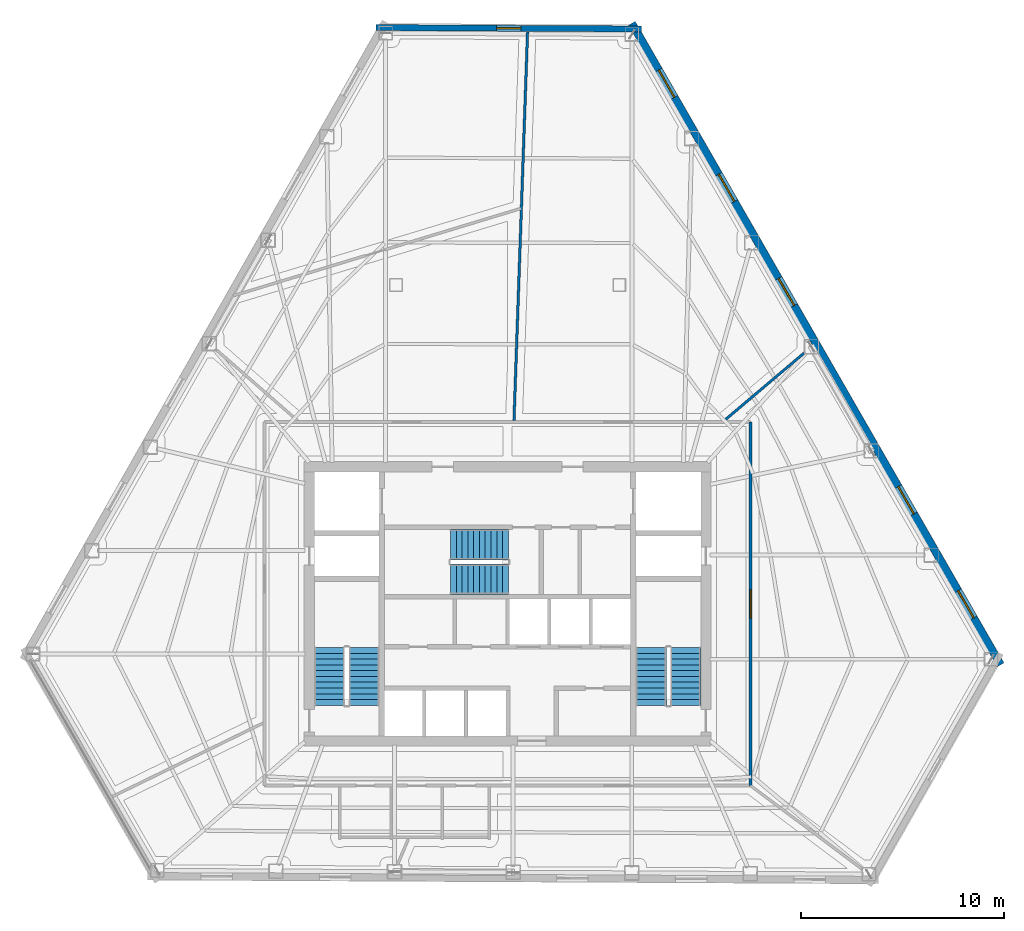
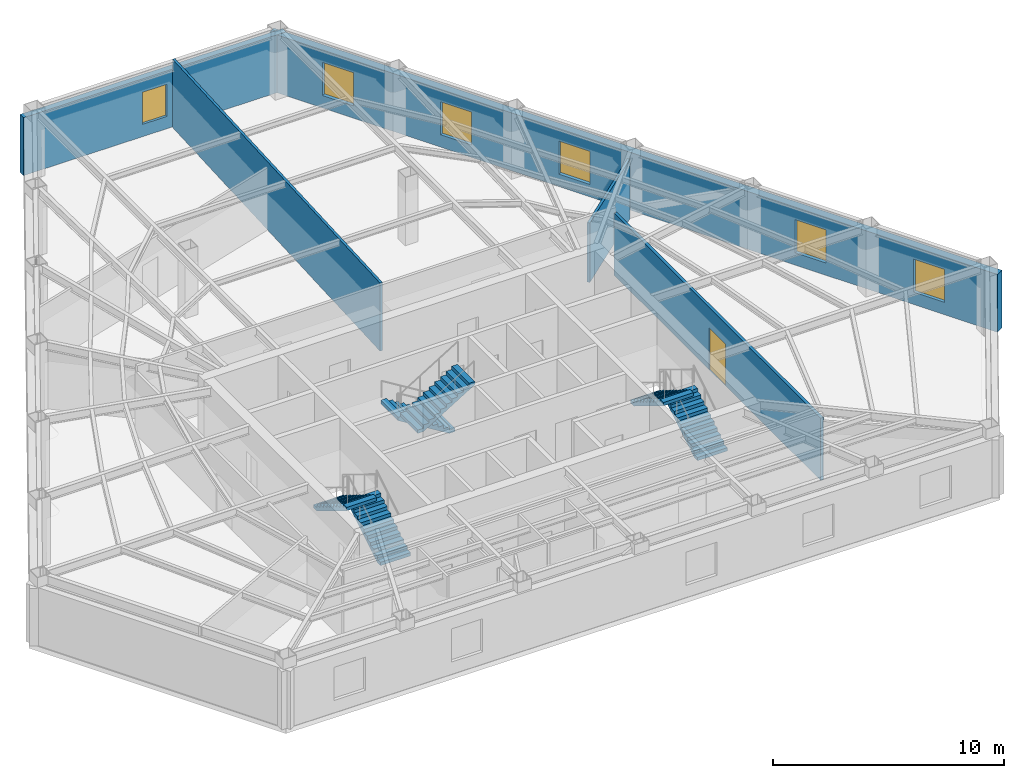
# One storey, part 10 of 13: 6 stair flights, 6 windows, 5 walls, 1 door, 7 openings, 3 elements without a shape of their own.
"""IFC4 building model written with IfcOpenShell, lengths in metres."""

import ifcopenshell
import ifcopenshell.guid

model = None  # the IFC model being written
_history = None  # IfcOwnerHistory: only IFC2X3 demands one
_inside = {}  # id of a spatial element -> (the spatial element, [elements in it])
_under = {}  # id of a project, library or spatial element -> (it, [spatial elements below it])
_declared = {}  # id of a project -> (the project, [libraries it declares])
_typed = {}  # id of a type object -> (the type object, [elements of that type])
_made_of = {}  # id of a material, layer set ... -> (it, [elements and type objects made of it])


def new_model(schema):
    """Start an empty IFC model of exactly this schema.

    Asked for "IFC4X3", IfcOpenShell would pick the latest addendum, in which some entities
    have other attributes; the version numbers below select the first issue.
    IFC2X3 requires an IfcOwnerHistory on every rooted entity: one is made here for all.
    """
    global model, _history
    if schema == "IFC4X3":
        model = ifcopenshell.file(schema_version=(4, 3, 0, 0))
    else:
        model = ifcopenshell.file(schema=schema)
    _inside.clear()
    _under.clear()
    _declared.clear()
    _typed.clear()
    _made_of.clear()
    _history = None
    if model.schema == "IFC2X3":
        org = make("IfcOrganization", Name="unknown")
        user = make(
            "IfcPersonAndOrganization",
            ThePerson=make("IfcPerson", FamilyName="unknown"),
            TheOrganization=org,
        )
        app = make(
            "IfcApplication",
            ApplicationDeveloper=org,
            Version="unknown",
            ApplicationFullName="unknown",
            ApplicationIdentifier="unknown",
        )
        _history = make(
            "IfcOwnerHistory",
            OwningUser=user,
            OwningApplication=app,
            ChangeAction="ADDED",
            CreationDate=0,
        )
    return model


def make(cls, **values):
    """One entity of the class cls with the attributes given. An attribute that is None is left unset."""
    return model.create_entity(
        cls, **{name: value for name, value in values.items() if value is not None}
    )


def rooted(cls, **values):
    """An entity with a GlobalId (a new one), such as an element, a storey or a relation."""
    return make(cls, GlobalId=ifcopenshell.guid.new(), OwnerHistory=_history, **values)


def si_unit(unit_type, name, prefix=None):
    """IfcSIUnit, for example si_unit("LENGTHUNIT", "METRE", prefix="MILLI")."""
    return make("IfcSIUnit", UnitType=unit_type, Prefix=prefix, Name=name)


def assignment(units):
    """IfcUnitAssignment: the units of a project."""
    return None if units is None else make("IfcUnitAssignment", Units=units)


def point(xyz):
    """IfcCartesianPoint."""
    return None if xyz is None else make("IfcCartesianPoint", Coordinates=xyz)


def direction(xyz):
    """IfcDirection."""
    return None if xyz is None else make("IfcDirection", DirectionRatios=xyz)


def frame(location, z_axis=None, x_axis=None):
    """IfcAxis2Placement3D, a coordinate frame: its origin and axes. An axis left out is left unset."""
    return make(
        "IfcAxis2Placement3D",
        Location=point(location),
        Axis=direction(z_axis),
        RefDirection=direction(x_axis),
    )


def frame_2d(location, x_axis=None):
    """IfcAxis2Placement2D, a coordinate frame in the plane: its origin and x axis."""
    return make(
        "IfcAxis2Placement2D", Location=point(location), RefDirection=direction(x_axis)
    )


def origin():
    """The frame at (0, 0, 0) with its axes left unset."""
    return frame((0.0, 0.0, 0.0))


def place(relative_to, where):
    """IfcLocalPlacement: puts the frame where relative to a parent placement (None: the world)."""
    return make(
        "IfcLocalPlacement", PlacementRelTo=relative_to, RelativePlacement=where
    )


def context(
    kind, dimensions, precision=None, world=None, true_north=None, identifier=None
):
    """IfcGeometricRepresentationContext, for example the 3D "Model" context."""
    return make(
        "IfcGeometricRepresentationContext",
        ContextIdentifier=identifier,
        ContextType=kind,
        CoordinateSpaceDimension=dimensions,
        Precision=precision,
        WorldCoordinateSystem=world,
        TrueNorth=true_north,
    )


def subcontext(parent, identifier, kind, view, scale=None):
    """IfcGeometricRepresentationSubContext, for example "Body" below "Model"."""
    return make(
        "IfcGeometricRepresentationSubContext",
        ContextIdentifier=identifier,
        ContextType=kind,
        ParentContext=parent,
        TargetScale=scale,
        TargetView=view,
    )


def project(units=None, contexts=None):
    """IfcProject with its units and contexts."""
    return rooted(
        "IfcProject",
        Name="project",
        RepresentationContexts=contexts,
        UnitsInContext=assignment(units),
    )


def spatial(cls, under=None, at=None, **own):
    """A site, building, storey or space (cls), placed at a placement, below another one or the project."""
    s = rooted(cls, ObjectPlacement=at, **own)
    if under is not None:
        _under.setdefault(under.id(), (under, []))[1].append(s)
    return s


def polyline(points):
    """IfcPolyline through the points."""
    return make("IfcPolyline", Points=[point(p) for p in points])


def profile(cls, at=None, kind="AREA", **sizes):
    """A parametric profile (cls). Its sizes go by their IFC names, for example OverallWidth=200.0."""
    return make(cls, ProfileType=kind, Position=at, **sizes)


def rectangle(**sizes):
    """IfcRectangleProfileDef."""
    return profile("IfcRectangleProfileDef", **sizes)


def outline(outer, holes=None, kind="AREA"):
    """IfcArbitraryClosedProfileDef: a profile drawn as a closed curve; with holes, ...WithVoids."""
    if holes is None:
        return make("IfcArbitraryClosedProfileDef", ProfileType=kind, OuterCurve=outer)
    return make(
        "IfcArbitraryProfileDefWithVoids",
        ProfileType=kind,
        OuterCurve=outer,
        InnerCurves=holes,
    )


def extrude(swept, where, along, depth):
    """IfcExtrudedAreaSolid: the profile swept, set in the frame where, extruded along a direction by depth."""
    return make(
        "IfcExtrudedAreaSolid",
        SweptArea=swept,
        Position=where,
        ExtrudedDirection=direction(along),
        Depth=depth,
    )


def shape(context_of_items, identifier, shape_type, items):
    """IfcShapeRepresentation: the items that make up one representation, for example the "Body"."""
    return make(
        "IfcShapeRepresentation",
        ContextOfItems=context_of_items,
        RepresentationIdentifier=identifier,
        RepresentationType=shape_type,
        Items=items,
    )


def material(Name=None, Category=None):
    """IfcMaterial."""
    return make("IfcMaterial", Name=Name, Category=Category)


def layer(
    of_material, thickness, ventilated=None, Name=None, Category=None, Priority=None
):
    """IfcMaterialLayer: one layer of a wall or slab, of a material (None: an air gap)."""
    return make(
        "IfcMaterialLayer",
        Material=of_material,
        LayerThickness=thickness,
        IsVentilated=ventilated,
        Name=Name,
        Category=Category,
        Priority=Priority,
    )


def layer_set(layers, Name=None):
    """IfcMaterialLayerSet."""
    return make("IfcMaterialLayerSet", MaterialLayers=layers, LayerSetName=Name)


def made_of(thing, what):
    """Note that an element or type object is made of a material, layer set ...; save() writes the relation."""
    if what is not None:
        _made_of.setdefault(what.id(), (what, []))[1].append(thing)
    return thing


def type_object(cls, material=None, **own):
    """A type object (cls), such as IfcWallType, which elements share."""
    return made_of(rooted(cls, **own), material)


def element(
    cls,
    number,
    at=None,
    inside=None,
    cuts=None,
    type_object=None,
    material=None,
    context=None,
    identifier="Body",
    shape_type=None,
    held_by="IfcProductDefinitionShape",
    body=None,
    shapes=None,
    **own,
):
    """One element of the class cls, such as IfcWall. Its Tag is "e" and its number.

    at: its placement. inside: the storey or other place that contains it. cuts: it is an
    opening in that element (IfcRelVoidsElement). A single representation is given by context,
    identifier, shape_type and body (its items); several are given by shapes. held_by: the class
    of the entity that holds the representations. save() writes the other relations.
    """
    e = rooted(cls, Tag="e%d" % number, ObjectPlacement=at, **own)
    if body is not None:
        shapes = [shape(context, identifier, shape_type, body)]
    if shapes is not None:
        e.Representation = make(held_by, Representations=shapes)
    if inside is not None:
        _inside.setdefault(inside.id(), (inside, []))[1].append(e)
    if cuts is not None:
        rooted(
            "IfcRelVoidsElement", RelatingBuildingElement=cuts, RelatedOpeningElement=e
        )
    if type_object is not None:
        _typed.setdefault(type_object.id(), (type_object, []))[1].append(e)
    return made_of(e, material)


def fill(opening, filler):
    """IfcRelFillsElement: the door or window that sits in an opening."""
    return rooted(
        "IfcRelFillsElement",
        RelatingOpeningElement=opening,
        RelatedBuildingElement=filler,
    )


def aggregate(whole, parts):
    """IfcRelAggregates: a whole, such as a stair, and the parts it consists of."""
    return rooted("IfcRelAggregates", RelatingObject=whole, RelatedObjects=parts)


def save(model, path):
    """Write the relations noted so far, then the file.

    IfcRelAggregates (storeys below a building ...), IfcRelContainedInSpatialStructure (elements
    in a storey), IfcRelDefinesByType, IfcRelAssociatesMaterial and IfcRelDeclares: one each for
    every whole, place, type object, material and project.
    """
    for whole, parts in _under.values():
        aggregate(whole, parts)
    for where, things in _inside.values():
        rooted(
            "IfcRelContainedInSpatialStructure",
            RelatedElements=things,
            RelatingStructure=where,
        )
    for kind, things in _typed.values():
        rooted("IfcRelDefinesByType", RelatedObjects=things, RelatingType=kind)
    for what, things in _made_of.values():
        rooted("IfcRelAssociatesMaterial", RelatedObjects=things, RelatingMaterial=what)
    for by, libraries in _declared.values():
        rooted("IfcRelDeclares", RelatingContext=by, RelatedDefinitions=libraries)
    model.write(path)


model = new_model("IFC4")

# Units and contexts
model_context = context("Model", 3, precision=1e-05, world=origin(), true_north=direction((0.0, 1.0)))
body_context = subcontext(model_context, "Body", "Model", "MODEL_VIEW")
ifc_project = project(units=[si_unit("LENGTHUNIT", "METRE"), si_unit("AREAUNIT", "SQUARE_METRE"), si_unit("VOLUMEUNIT", "CUBIC_METRE"), si_unit("PLANEANGLEUNIT", "RADIAN"), si_unit("MASSUNIT", "GRAM", prefix="KILO")], contexts=[model_context])

# Site, building, storey
site_placement = place(None, origin())
site = spatial("IfcSite", under=ifc_project, at=site_placement, CompositionType="ELEMENT")
building_placement = place(site_placement, origin())
building = spatial("IfcBuilding", under=site, at=building_placement, Name="Kavelnor Concourse Tower", CompositionType="ELEMENT")
storey_placement = place(building_placement, frame((0.0, 0.0, 100.89990234375)))
storey = spatial("IfcBuildingStorey", under=building, at=storey_placement, Name="L25", CompositionType="ELEMENT", Elevation=100.89990234375)

# Wall, opening, window
ifc_material_1 = material(Name="Buff ironspot clay face brick masonry", Category="masonry")
ifc_layer_1 = layer(ifc_material_1, 0.300048828125, Name="Buff ironspot clay face brick masonry")
ifc_layer_set_1 = layer_set([ifc_layer_1], Name="Buff ironspot clay face brick masonry")
wall_type_1 = type_object("IfcWallType", Name="WL-EXT-BUFF-BRICK-FOLD-300", PredefinedType="STANDARD", material=ifc_layer_set_1)
wall_1_placement = place(storey_placement, frame((31.510986328125, 44.476806640625, 0.0), z_axis=(0.0, 0.0, 1.0), x_axis=(0.999986654587, -0.005166299301, 0.0)))
wall_1 = element("IfcWall", 1, at=wall_1_placement, inside=storey, type_object=wall_type_1, Name="L25 Exterior Brick Facade Wall E0", PredefinedType="STANDARD", context=body_context, shape_type="SweptSolid", body=[
    extrude(rectangle(XDim=13.090087890625, YDim=0.300048828125, at=frame_2d((6.544921875, 0.0))), origin(), (0.0, 0.0, 1.0), 3.05908203125),
])
opening_1_placement = place(wall_1_placement, frame((5.94482421875, 0.0, 0.64990234375)))
opening_1 = element("IfcOpeningElement", 2, at=opening_1_placement, cuts=wall_1, Name="Opening W-05", PredefinedType="OPENING", context=body_context, shape_type="SweptSolid", body=[
    extrude(rectangle(XDim=1.199951171875, YDim=1.699951171875, at=frame_2d((0.60009765625, 0.85009765625))), frame((0.0, 0.16015625, 0.0), z_axis=(0.0, -1.0, 0.0), x_axis=(1.0, 0.0, 0.0)), (0.0, 0.0, 1.0), 0.320068359375),
])
ifc_material_2 = material(Name="Double low-E argon insulated glazing", Category="glass")
window_type_1 = type_object("IfcWindowType", Name="WIN-FOLD-1200", PartitioningType="SINGLE_PANEL", PredefinedType="WINDOW", material=ifc_material_2)
window_1_placement = place(opening_1_placement, origin())
window_1 = element("IfcWindow", 3, at=window_1_placement, inside=storey, type_object=window_type_1, Name="L25 Chamfer-Fold Facet Window C0", OverallHeight=1.699951171875, OverallWidth=1.199951171875, PartitioningType="SINGLE_PANEL", PredefinedType="WINDOW", context=body_context, shape_type="SweptSolid", body=[
    extrude(rectangle(XDim=1.199951171875, YDim=1.699951171875, at=frame_2d((0.60009765625, 0.85009765625))), frame((0.0, 0.030029296875, 0.0), z_axis=(0.0, -1.0, 0.0), x_axis=(1.0, 0.0, 0.0)), (0.0, 0.0, 1.0), 0.06005859375),
])
fill(opening_1, window_1)

# Wall, openings, windows
ifc_material_3 = material(Name="Red-ochre clay face brick masonry", Category="masonry")
ifc_layer_2 = layer(ifc_material_3, 0.3798828125, Name="Red-ochre clay face brick masonry")
ifc_layer_set_2 = layer_set([ifc_layer_2], Name="Red-ochre clay face brick masonry")
wall_type_2 = type_object("IfcWallType", Name="WL-EXT-RED-BRICK-PIER-380", PredefinedType="STANDARD", material=ifc_layer_set_2)
wall_2_placement = place(storey_placement, frame((44.1201171875, 44.688720703125, 0.0), z_axis=(0.0, 0.0, 1.0), x_axis=(0.498376840975, -0.866960509124, 0.0)))
wall_2 = element("IfcWall", 4, at=wall_2_placement, inside=storey, type_object=wall_type_2, Name="L25 Exterior Brick Facade Wall E5", PredefinedType="STANDARD", context=body_context, shape_type="SweptSolid", body=[
    extrude(rectangle(XDim=36.440673828125, YDim=0.3798828125, at=frame_2d((18.22021484375, 0.0))), origin(), (0.0, 0.0, 1.0), 3.05908203125),
])
opening_2_placement = place(wall_2_placement, frame((32.23388671875, 0.0, 0.64990234375)))
opening_2 = element("IfcOpeningElement", 5, at=opening_2_placement, cuts=wall_2, Name="Opening W-02", PredefinedType="OPENING", context=body_context, shape_type="SweptSolid", body=[
    extrude(rectangle(XDim=1.550048828125, YDim=1.75, at=frame_2d((0.77490234375, 0.875))), frame((0.0, 0.199951171875, 0.0), z_axis=(0.0, -1.0, 0.0), x_axis=(1.0, 0.0, 0.0)), (0.0, 0.0, 1.0), 0.39990234375),
])
opening_3_placement = place(wall_2_placement, frame((26.31884765625, 0.0, 0.64990234375)))
opening_3 = element("IfcOpeningElement", 6, at=opening_3_placement, cuts=wall_2, Name="Opening W-02", PredefinedType="OPENING", context=body_context, shape_type="SweptSolid", body=[
    extrude(rectangle(XDim=1.550048828125, YDim=1.75, at=frame_2d((0.77490234375, 0.875))), frame((0.0, 0.199951171875, 0.0), z_axis=(0.0, -1.0, 0.0), x_axis=(1.0, 0.0, 0.0)), (0.0, 0.0, 1.0), 0.39990234375),
])
opening_4_placement = place(wall_2_placement, frame((14.488525390625, 0.0, 0.64990234375)))
opening_4 = element("IfcOpeningElement", 7, at=opening_4_placement, cuts=wall_2, Name="Opening W-02", PredefinedType="OPENING", context=body_context, shape_type="SweptSolid", body=[
    extrude(rectangle(XDim=1.550048828125, YDim=1.75, at=frame_2d((0.77490234375, 0.875))), frame((0.0, 0.199951171875, 0.0), z_axis=(0.0, -1.0, 0.0), x_axis=(1.0, 0.0, 0.0)), (0.0, 0.0, 1.0), 0.39990234375),
])
opening_5_placement = place(wall_2_placement, frame((8.573486328125, 0.0, 0.64990234375)))
opening_5 = element("IfcOpeningElement", 8, at=opening_5_placement, cuts=wall_2, Name="Opening W-02", PredefinedType="OPENING", context=body_context, shape_type="SweptSolid", body=[
    extrude(rectangle(XDim=1.550048828125, YDim=1.75, at=frame_2d((0.77490234375, 0.875))), frame((0.0, 0.199951171875, 0.0), z_axis=(0.0, -1.0, 0.0), x_axis=(1.0, 0.0, 0.0)), (0.0, 0.0, 1.0), 0.39990234375),
])
opening_6_placement = place(wall_2_placement, frame((2.658447265625, 0.0, 0.64990234375)))
opening_6 = element("IfcOpeningElement", 9, at=opening_6_placement, cuts=wall_2, Name="Opening W-02", PredefinedType="OPENING", context=body_context, shape_type="SweptSolid", body=[
    extrude(rectangle(XDim=1.550048828125, YDim=1.75, at=frame_2d((0.77490234375, 0.875))), frame((0.0, 0.199951171875, 0.0), z_axis=(0.0, -1.0, 0.0), x_axis=(1.0, 0.0, 0.0)), (0.0, 0.0, 1.0), 0.39990234375),
])
window_type_2 = type_object("IfcWindowType", Name="WIN-PIER-Z2-1650", PartitioningType="SINGLE_PANEL", PredefinedType="WINDOW", material=ifc_material_2)
window_2_placement = place(opening_2_placement, origin())
window_2 = element("IfcWindow", 10, at=window_2_placement, inside=storey, type_object=window_type_2, Name="L25 Deep-Set Brick Pier Window F2-B0", OverallHeight=1.75, OverallWidth=1.550048828125, PartitioningType="SINGLE_PANEL", PredefinedType="WINDOW", context=body_context, shape_type="SweptSolid", body=[
    extrude(rectangle(XDim=1.550048828125, YDim=1.75, at=frame_2d((0.77490234375, 0.875))), frame((0.0, 0.030029296875, 0.0), z_axis=(0.0, -1.0, 0.0), x_axis=(1.0, 0.0, 0.0)), (0.0, 0.0, 1.0), 0.06005859375),
])
fill(opening_2, window_2)
window_3_placement = place(opening_3_placement, origin())
window_3 = element("IfcWindow", 11, at=window_3_placement, inside=storey, type_object=window_type_2, Name="L25 Deep-Set Brick Pier Window F2-B1", OverallHeight=1.75, OverallWidth=1.550048828125, PartitioningType="SINGLE_PANEL", PredefinedType="WINDOW", context=body_context, shape_type="SweptSolid", body=[
    extrude(rectangle(XDim=1.550048828125, YDim=1.75, at=frame_2d((0.77490234375, 0.875))), frame((0.0, 0.030029296875, 0.0), z_axis=(0.0, -1.0, 0.0), x_axis=(1.0, 0.0, 0.0)), (0.0, 0.0, 1.0), 0.06005859375),
])
fill(opening_3, window_3)
window_4_placement = place(opening_4_placement, origin())
window_4 = element("IfcWindow", 12, at=window_4_placement, inside=storey, type_object=window_type_2, Name="L25 Deep-Set Brick Pier Window F2-B3", OverallHeight=1.75, OverallWidth=1.550048828125, PartitioningType="SINGLE_PANEL", PredefinedType="WINDOW", context=body_context, shape_type="SweptSolid", body=[
    extrude(rectangle(XDim=1.550048828125, YDim=1.75, at=frame_2d((0.77490234375, 0.875))), frame((0.0, 0.030029296875, 0.0), z_axis=(0.0, -1.0, 0.0), x_axis=(1.0, 0.0, 0.0)), (0.0, 0.0, 1.0), 0.06005859375),
])
fill(opening_4, window_4)
window_5_placement = place(opening_5_placement, origin())
window_5 = element("IfcWindow", 13, at=window_5_placement, inside=storey, type_object=window_type_2, Name="L25 Deep-Set Brick Pier Window F2-B4", OverallHeight=1.75, OverallWidth=1.550048828125, PartitioningType="SINGLE_PANEL", PredefinedType="WINDOW", context=body_context, shape_type="SweptSolid", body=[
    extrude(rectangle(XDim=1.550048828125, YDim=1.75, at=frame_2d((0.77490234375, 0.875))), frame((0.0, 0.030029296875, 0.0), z_axis=(0.0, -1.0, 0.0), x_axis=(1.0, 0.0, 0.0)), (0.0, 0.0, 1.0), 0.06005859375),
])
fill(opening_5, window_5)
window_6_placement = place(opening_6_placement, origin())
window_6 = element("IfcWindow", 14, at=window_6_placement, inside=storey, type_object=window_type_2, Name="L25 Deep-Set Brick Pier Window F2-B5", OverallHeight=1.75, OverallWidth=1.550048828125, PartitioningType="SINGLE_PANEL", PredefinedType="WINDOW", context=body_context, shape_type="SweptSolid", body=[
    extrude(rectangle(XDim=1.550048828125, YDim=1.75, at=frame_2d((0.77490234375, 0.875))), frame((0.0, 0.030029296875, 0.0), z_axis=(0.0, -1.0, 0.0), x_axis=(1.0, 0.0, 0.0)), (0.0, 0.0, 1.0), 0.06005859375),
])
fill(opening_6, window_6)

# Wall, opening, door
ifc_material_4 = material(Name="Gypsum plasterboard on light-gauge steel studs", Category="steel")
ifc_layer_3 = layer(ifc_material_4, 0.14501953125, Name="Gypsum plasterboard on light-gauge steel studs")
ifc_layer_set_3 = layer_set([ifc_layer_3], Name="Gypsum plasterboard on light-gauge steel studs")
wall_type_3 = type_object("IfcWallType", Name="WL-INT-CORR-145", PredefinedType="PARTITIONING", material=ifc_layer_set_3)
wall_3_placement = place(storey_placement, frame((49.969970703125, 7.14990234375, 0.0), z_axis=(0.0, 0.0, 1.0), x_axis=(0.0, 1.0, 0.0)))
wall_3 = element("IfcWall", 15, at=wall_3_placement, inside=storey, type_object=wall_type_3, Name="L25 Corridor Wall WL-L25-CR-01", PredefinedType="PARTITIONING", context=body_context, shape_type="SweptSolid", body=[
    extrude(rectangle(XDim=17.900146484375, YDim=0.14501953125, at=frame_2d((8.9501953125, 0.0))), origin(), (0.0, 0.0, 1.0), 3.2880859375),
])
opening_7_placement = place(wall_3_placement, frame((8.25, 0.0, 0.0)))
opening_7 = element("IfcOpeningElement", 16, at=opening_7_placement, cuts=wall_3, Name="Opening SD-140", PredefinedType="OPENING", context=body_context, shape_type="SweptSolid", body=[
    extrude(rectangle(XDim=1.39990234375, YDim=2.199951171875, at=frame_2d((0.699951171875, 1.10009765625))), frame((0.0, 0.08251953125, 0.0), z_axis=(0.0, -1.0, 0.0), x_axis=(1.0, 0.0, 0.0)), (0.0, 0.0, 1.0), 0.1650390625),
])
ifc_material_5 = material(Name="Solid-core hardwood timber", Category="wood")
door_type = type_object("IfcDoorType", Name="DR-SUITE-ENTRY-1400", OperationType="NOTDEFINED", PredefinedType="DOOR", material=ifc_material_5)
door_placement = place(opening_7_placement, origin())
door = element("IfcDoor", 17, at=door_placement, inside=storey, type_object=door_type, Name="L25 Staff Breakout Pantry 07 Door", OperationType="SINGLE_SWING_LEFT", OverallHeight=2.199951171875, OverallWidth=1.39990234375, PredefinedType="DOOR", context=body_context, shape_type="SweptSolid", body=[
    extrude(rectangle(XDim=1.39990234375, YDim=2.199951171875, at=frame_2d((0.699951171875, 1.10009765625))), frame((0.0, 0.02490234375, 0.0), z_axis=(0.0, -1.0, 0.0), x_axis=(1.0, 0.0, 0.0)), (0.0, 0.0, 1.0), 0.050048828125),
])
fill(opening_7, door)

# Walls
ifc_layer_4 = layer(ifc_material_4, 0.125, Name="Gypsum plasterboard on light-gauge steel studs")
ifc_layer_set_4 = layer_set([ifc_layer_4], Name="Gypsum plasterboard on light-gauge steel studs")
wall_type_4 = type_object("IfcWallType", Name="WL-INT-SUITE-125", PredefinedType="PARTITIONING", material=ifc_layer_set_4)
wall_4_placement = place(storey_placement, frame((48.6787109375, 25.130615234375, 0.0), z_axis=(0.0, 0.0, 1.0), x_axis=(0.763563012799, 0.645733323815, 0.0)))
element("IfcWall", 18, at=wall_4_placement, inside=storey, type_object=wall_type_4, Name="L25 Radial Suite Partition 01", PredefinedType="PARTITIONING", context=body_context, shape_type="SweptSolid", body=[
    extrude(rectangle(XDim=5.13427734375, YDim=0.125, at=frame_2d((2.567138671875, 0.0))), origin(), (0.0, 0.0, 1.0), 3.14111328125),
])
wall_5_placement = place(storey_placement, frame((38.3154296875, 25.130615234375, 0.0), z_axis=(0.0, 0.0, 1.0), x_axis=(0.03489139659, 0.999391109848, 0.0)))
element("IfcWall", 19, at=wall_5_placement, inside=storey, type_object=wall_type_4, Name="L25 Radial Suite Partition 02", PredefinedType="PARTITIONING", context=body_context, shape_type="SweptSolid", body=[
    extrude(rectangle(XDim=19.144287109375, YDim=0.125, at=frame_2d((9.572265625, 0.0))), origin(), (0.0, 0.0, 1.0), 3.60009765625),
])

# Stair, stair flights
ifc_material_6 = material(Name="Concrete C40/50", Category="concrete")
stair_type = type_object("IfcStairType", Name="STR-CORE-1500", PredefinedType="HALF_TURN_STAIR", material=ifc_material_6)
stair_1_placement = place(storey_placement, origin())
stair_1 = element("IfcStair", 20, at=stair_1_placement, inside=storey, type_object=stair_type, Name="L25 ST1", PredefinedType="HALF_TURN_STAIR")
stair_flight_type = type_object("IfcStairFlightType", Name="STR-FLIGHT-1500", PredefinedType="STRAIGHT", material=ifc_material_6)
stair_flight_1_placement = place(storey_placement, frame((30.929931640625, 11.10009765625, 0.0), z_axis=(0.0, 0.0, 1.0), x_axis=(0.0, 1.0, 0.0)))
stair_flight_1 = element("IfcStairFlight", 21, at=stair_flight_1_placement, type_object=stair_flight_type, Name="ST1 flight 1", NumberOfRisers=11, NumberOfTreads=10, PredefinedType="STRAIGHT", RiserHeight=0.175, TreadLength=0.285, context=body_context, shape_type="SweptSolid", body=[
    extrude(outline(polyline([(0.0, 0.0), (0.0, 0.175048828125), (0.284912109375, 0.175048828125), (0.284912109375, 0.35009765625), (0.570068359375, 0.35009765625), (0.570068359375, 0.52490234375), (0.85498046875, 0.52490234375), (0.85498046875, 0.699951171875), (1.139892578125, 0.699951171875), (1.139892578125, 0.875), (1.425048828125, 0.875), (1.425048828125, 1.050048828125), (1.7099609375, 1.050048828125), (1.7099609375, 1.22509765625), (1.9951171875, 1.22509765625), (1.9951171875, 1.39990234375), (2.280029296875, 1.39990234375), (2.280029296875, 1.574951171875), (2.56494140625, 1.574951171875), (2.56494140625, 1.75), (2.85009765625, 1.75), (2.85009765625, 1.925048828125), (2.85009765625, 1.573974609375), (0.286376953125, 0.0), (0.0, 0.0)])), frame((0.0, 0.75, 0.0), z_axis=(0.0, -1.0, 0.0), x_axis=(1.0, 0.0, 0.0)), (0.0, 0.0, 1.0), 1.5),
])
stair_flight_2_placement = place(storey_placement, frame((29.22998046875, 13.949951171875, 1.925048828125), z_axis=(0.0, 0.0, 1.0), x_axis=(0.0, -1.0, 0.0)))
stair_flight_2 = element("IfcStairFlight", 22, at=stair_flight_2_placement, type_object=stair_flight_type, Name="ST1 flight 2", NumberOfRisers=11, NumberOfTreads=10, PredefinedType="STRAIGHT", RiserHeight=0.175, TreadLength=0.285, context=body_context, shape_type="SweptSolid", body=[
    extrude(outline(polyline([(0.0, 0.0), (0.0, 0.175048828125), (0.284912109375, 0.175048828125), (0.284912109375, 0.35009765625), (0.570068359375, 0.35009765625), (0.570068359375, 0.52490234375), (0.85498046875, 0.52490234375), (0.85498046875, 0.699951171875), (1.139892578125, 0.699951171875), (1.139892578125, 0.875), (1.425048828125, 0.875), (1.425048828125, 1.050048828125), (1.7099609375, 1.050048828125), (1.7099609375, 1.22509765625), (1.9951171875, 1.22509765625), (1.9951171875, 1.39990234375), (2.280029296875, 1.39990234375), (2.280029296875, 1.574951171875), (2.56494140625, 1.574951171875), (2.56494140625, 1.75), (2.85009765625, 1.75), (2.85009765625, 1.925048828125), (2.85009765625, 1.573974609375), (0.286376953125, 0.0), (0.0, 0.0)])), frame((0.0, 0.75, 0.0), z_axis=(0.0, -1.0, 0.0), x_axis=(1.0, 0.0, 0.0)), (0.0, 0.0, 1.0), 1.5),
])
aggregate(stair_1, [stair_flight_1, stair_flight_2])

stair_2_placement = place(storey_placement, origin())
stair_2 = element("IfcStair", 23, at=stair_2_placement, inside=storey, type_object=stair_type, Name="L25 ST2", PredefinedType="HALF_TURN_STAIR")
stair_flight_3_placement = place(storey_placement, frame((46.77001953125, 11.10009765625, 0.0), z_axis=(0.0, 0.0, 1.0), x_axis=(0.0, 1.0, 0.0)))
stair_flight_3 = element("IfcStairFlight", 24, at=stair_flight_3_placement, type_object=stair_flight_type, Name="ST2 flight 1", NumberOfRisers=11, NumberOfTreads=10, PredefinedType="STRAIGHT", RiserHeight=0.175, TreadLength=0.285, context=body_context, shape_type="SweptSolid", body=[
    extrude(outline(polyline([(0.0, 0.0), (0.0, 0.175048828125), (0.284912109375, 0.175048828125), (0.284912109375, 0.35009765625), (0.570068359375, 0.35009765625), (0.570068359375, 0.52490234375), (0.85498046875, 0.52490234375), (0.85498046875, 0.699951171875), (1.139892578125, 0.699951171875), (1.139892578125, 0.875), (1.425048828125, 0.875), (1.425048828125, 1.050048828125), (1.7099609375, 1.050048828125), (1.7099609375, 1.22509765625), (1.9951171875, 1.22509765625), (1.9951171875, 1.39990234375), (2.280029296875, 1.39990234375), (2.280029296875, 1.574951171875), (2.56494140625, 1.574951171875), (2.56494140625, 1.75), (2.85009765625, 1.75), (2.85009765625, 1.925048828125), (2.85009765625, 1.573974609375), (0.286376953125, 0.0), (0.0, 0.0)])), frame((0.0, 0.75, 0.0), z_axis=(0.0, -1.0, 0.0), x_axis=(1.0, 0.0, 0.0)), (0.0, 0.0, 1.0), 1.5),
])
stair_flight_4_placement = place(storey_placement, frame((45.070068359375, 13.949951171875, 1.925048828125), z_axis=(0.0, 0.0, 1.0), x_axis=(0.0, -1.0, 0.0)))
stair_flight_4 = element("IfcStairFlight", 25, at=stair_flight_4_placement, type_object=stair_flight_type, Name="ST2 flight 2", NumberOfRisers=11, NumberOfTreads=10, PredefinedType="STRAIGHT", RiserHeight=0.175, TreadLength=0.285, context=body_context, shape_type="SweptSolid", body=[
    extrude(outline(polyline([(0.0, 0.0), (0.0, 0.175048828125), (0.284912109375, 0.175048828125), (0.284912109375, 0.35009765625), (0.570068359375, 0.35009765625), (0.570068359375, 0.52490234375), (0.85498046875, 0.52490234375), (0.85498046875, 0.699951171875), (1.139892578125, 0.699951171875), (1.139892578125, 0.875), (1.425048828125, 0.875), (1.425048828125, 1.050048828125), (1.7099609375, 1.050048828125), (1.7099609375, 1.22509765625), (1.9951171875, 1.22509765625), (1.9951171875, 1.39990234375), (2.280029296875, 1.39990234375), (2.280029296875, 1.574951171875), (2.56494140625, 1.574951171875), (2.56494140625, 1.75), (2.85009765625, 1.75), (2.85009765625, 1.925048828125), (2.85009765625, 1.573974609375), (0.286376953125, 0.0), (0.0, 0.0)])), frame((0.0, 0.75, 0.0), z_axis=(0.0, -1.0, 0.0), x_axis=(1.0, 0.0, 0.0)), (0.0, 0.0, 1.0), 1.5),
])
aggregate(stair_2, [stair_flight_3, stair_flight_4])

stair_3_placement = place(storey_placement, origin())
stair_3 = element("IfcStair", 26, at=stair_3_placement, inside=storey, type_object=stair_type, Name="L25 ST3", PredefinedType="HALF_TURN_STAIR")
stair_flight_5_placement = place(storey_placement, frame((38.0400390625, 19.010009765625, 0.0), z_axis=(0.0, 0.0, 1.0), x_axis=(-1.0, 0.0, 0.0)))
stair_flight_5 = element("IfcStairFlight", 27, at=stair_flight_5_placement, type_object=stair_flight_type, Name="ST3 flight 1", NumberOfRisers=11, NumberOfTreads=10, PredefinedType="STRAIGHT", RiserHeight=0.175, TreadLength=0.285, context=body_context, shape_type="SweptSolid", body=[
    extrude(outline(polyline([(0.0, 0.0), (0.0, 0.175048828125), (0.284912109375, 0.175048828125), (0.284912109375, 0.35009765625), (0.570068359375, 0.35009765625), (0.570068359375, 0.52490234375), (0.85498046875, 0.52490234375), (0.85498046875, 0.699951171875), (1.139892578125, 0.699951171875), (1.139892578125, 0.875), (1.425048828125, 0.875), (1.425048828125, 1.050048828125), (1.7099609375, 1.050048828125), (1.7099609375, 1.22509765625), (1.9951171875, 1.22509765625), (1.9951171875, 1.39990234375), (2.280029296875, 1.39990234375), (2.280029296875, 1.574951171875), (2.56494140625, 1.574951171875), (2.56494140625, 1.75), (2.85009765625, 1.75), (2.85009765625, 1.925048828125), (2.85009765625, 1.573974609375), (0.286376953125, 0.0), (0.0, 0.0)])), frame((0.0, 0.75, 0.0), z_axis=(0.0, -1.0, 0.0), x_axis=(1.0, 0.0, 0.0)), (0.0, 0.0, 1.0), 1.5),
])
stair_flight_6_placement = place(storey_placement, frame((35.18994140625, 17.31005859375, 1.925048828125), z_axis=(0.0, 0.0, 1.0), x_axis=(1.0, 0.0, 0.0)))
stair_flight_6 = element("IfcStairFlight", 28, at=stair_flight_6_placement, type_object=stair_flight_type, Name="ST3 flight 2", NumberOfRisers=11, NumberOfTreads=10, PredefinedType="STRAIGHT", RiserHeight=0.175, TreadLength=0.285, context=body_context, shape_type="SweptSolid", body=[
    extrude(outline(polyline([(0.0, 0.0), (0.0, 0.175048828125), (0.284912109375, 0.175048828125), (0.284912109375, 0.35009765625), (0.570068359375, 0.35009765625), (0.570068359375, 0.52490234375), (0.85498046875, 0.52490234375), (0.85498046875, 0.699951171875), (1.139892578125, 0.699951171875), (1.139892578125, 0.875), (1.425048828125, 0.875), (1.425048828125, 1.050048828125), (1.7099609375, 1.050048828125), (1.7099609375, 1.22509765625), (1.9951171875, 1.22509765625), (1.9951171875, 1.39990234375), (2.280029296875, 1.39990234375), (2.280029296875, 1.574951171875), (2.56494140625, 1.574951171875), (2.56494140625, 1.75), (2.85009765625, 1.75), (2.85009765625, 1.925048828125), (2.85009765625, 1.573974609375), (0.286376953125, 0.0), (0.0, 0.0)])), frame((0.0, 0.75, 0.0), z_axis=(0.0, -1.0, 0.0), x_axis=(1.0, 0.0, 0.0)), (0.0, 0.0, 1.0), 1.5),
])
aggregate(stair_3, [stair_flight_5, stair_flight_6])

save(model, "model.ifc")
